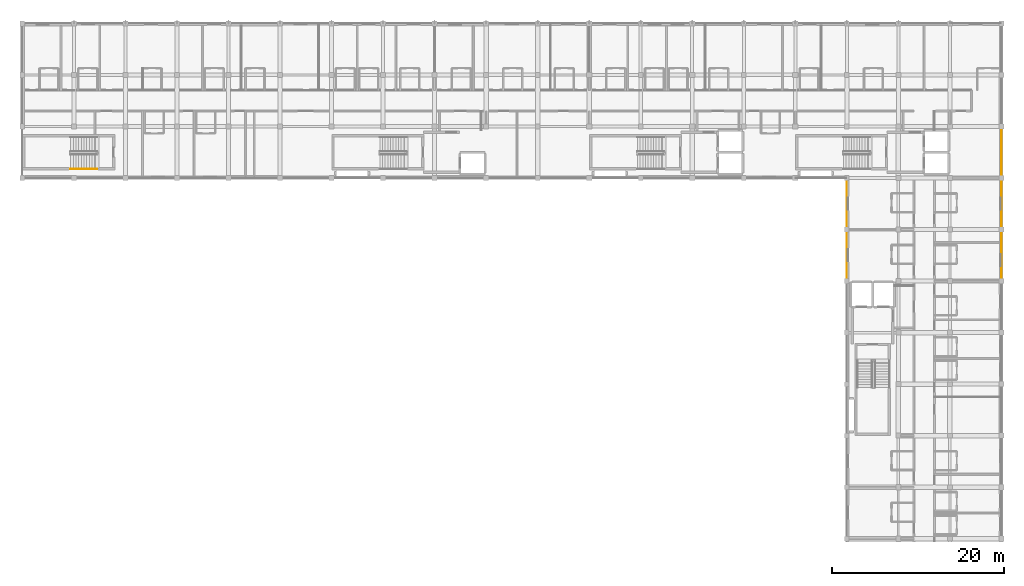
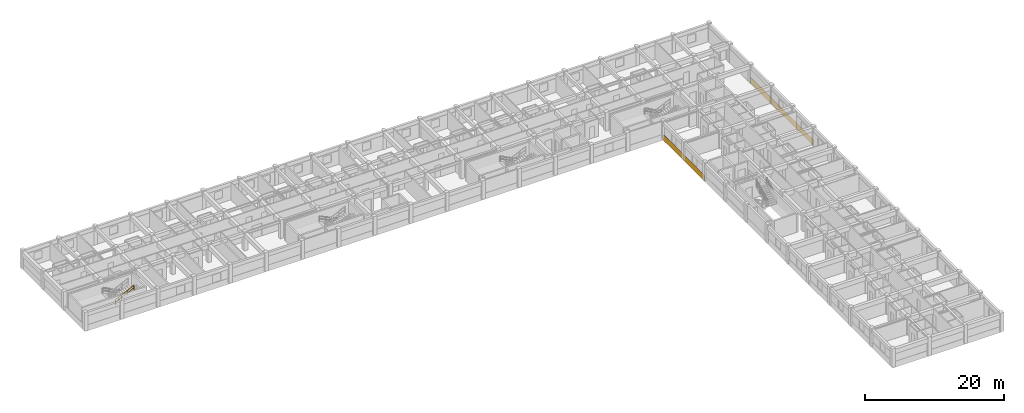
# One storey, part 19 of 22: 2 coverings, 1 railing.
"""IFC4 building model written with IfcOpenShell, lengths in metres."""

from ifc_helpers import new_model, si_unit, direction, frame, origin, origin_2d, place, context, subcontext, project, spatial, polyline, circle, outline, extrude, material, layer, layer_set, type_object, element, save


model = new_model("IFC4")

# Units and contexts
model_context = context("Model", 3, precision=1e-05, world=origin(), true_north=direction((0.0, 1.0)))
body_context = subcontext(model_context, "Body", "Model", "MODEL_VIEW")
ifc_project = project(units=[si_unit("LENGTHUNIT", "METRE"), si_unit("AREAUNIT", "SQUARE_METRE"), si_unit("VOLUMEUNIT", "CUBIC_METRE"), si_unit("PLANEANGLEUNIT", "RADIAN"), si_unit("MASSUNIT", "GRAM", prefix="KILO"), si_unit("THERMODYNAMICTEMPERATUREUNIT", "KELVIN"), si_unit("POWERUNIT", "WATT")], contexts=[model_context])

# Site, building, storey
site_placement = place(None, origin())
site = spatial("IfcSite", under=ifc_project, at=site_placement, CompositionType="ELEMENT")
building_placement = place(site_placement, origin())
building = spatial("IfcBuilding", under=site, at=building_placement, Name="Phaisarnlok Congress Hotel", CompositionType="ELEMENT")
storey_placement = place(building_placement, frame((0.0, 0.0, 28.199951171875)))
storey = spatial("IfcBuildingStorey", under=building, at=storey_placement, Name="L06", CompositionType="ELEMENT", Elevation=28.199951171875)

# Coverings
ifc_material_1 = material(Name="Anodised Silver Aluminium Alloy 6063-T6", Category="aluminium")
ifc_layer = layer(ifc_material_1, 0.031982421875, Name="Anodised Silver Aluminium Alloy 6063-T6")
ifc_layer_set = layer_set([ifc_layer], Name="Anodised Silver Aluminium Alloy 6063-T6")
covering_type = type_object("IfcCoveringType", Name="COV-SPAND-ALU", PredefinedType="CLADDING", material=ifc_layer_set)
covering_1_placement = place(storey_placement, frame((179.9951171875, 96.06005859375, -0.280029296875), z_axis=(1.0, 0.0, 0.0), x_axis=(0.0, 1.0, 0.0)))
element("IfcCovering", 1, at=covering_1_placement, inside=storey, type_object=covering_type, Name="Swiss minimalist anodised silver rainscreen band CL-02 (L06 E)", PredefinedType="CLADDING", context=body_context, shape_type="SweptSolid", body=[
    extrude(outline(polyline([(0.0, 0.0), (18.0, 0.0), (18.0, 1.050048828125), (0.0, 1.050048828125), (0.0, 0.0)])), origin(), (0.0, 0.0, 1.0), 0.031982421875),
])
covering_2_placement = place(storey_placement, frame((162.0048828125, 107.93994140625, -0.280029296875), z_axis=(-1.0, 0.0, 0.0), x_axis=(0.0, -1.0, 0.0)))
element("IfcCovering", 2, at=covering_2_placement, inside=storey, type_object=covering_type, Name="Swiss minimalist anodised silver rainscreen band CL-02 (L06 W)", PredefinedType="CLADDING", context=body_context, shape_type="SweptSolid", body=[
    extrude(outline(polyline([(0.0, 0.0), (11.8798828125, 0.0), (11.8798828125, 1.050048828125), (0.0, 1.050048828125), (0.0, 0.0)])), origin(), (0.0, 0.0, 1.0), 0.031982421875),
])

# Railing
ifc_material_2 = material(Name="Brushed Stainless Steel Grade 304", Category="steel")
railing_type = type_object("IfcRailingType", Name="RLG-STR-HRAIL", PredefinedType="HANDRAIL", material=ifc_material_2)
railing_placement = place(storey_placement, frame((71.6201171875, 109.050048828125, 1.800048828125)))
element("IfcRailing", 3, at=railing_placement, inside=storey, type_object=railing_type, Name="L06 ST-10 stair handrail 2", PredefinedType="HANDRAIL", context=body_context, shape_type="SweptSolid", body=[
    extrude(circle(Radius=0.02392578125, at=origin_2d()), frame((0.0, 0.0, 0.8759765625), z_axis=(0.900151181449, 0.0, 0.435577605641), x_axis=(0.0, 1.0, 0.0)), (0.0, 0.0, 1.0), 3.443603515625),
    extrude(circle(Radius=0.02392578125, at=origin_2d()), frame((0.0, 0.0, 0.42578125), z_axis=(0.900151181449, 0.0, 0.435577605641), x_axis=(0.0, 1.0, 0.0)), (0.0, 0.0, 1.0), 3.443603515625),
    extrude(circle(Radius=0.02099609375, at=origin_2d()), origin(), (0.0, 0.0, 1.0), 0.851806640625),
    extrude(circle(Radius=0.02099609375, at=origin_2d()), frame((1.033203125, 0.0, 0.5)), (0.0, 0.0, 1.0), 0.851806640625),
    extrude(circle(Radius=0.02099609375, at=origin_2d()), frame((2.066650390625, 0.0, 1.0)), (0.0, 0.0, 1.0), 0.851806640625),
    extrude(circle(Radius=0.02099609375, at=origin_2d()), frame((3.099853515625, 0.0, 1.5)), (0.0, 0.0, 1.0), 0.851806640625),
])

save(model, "model.ifc")
